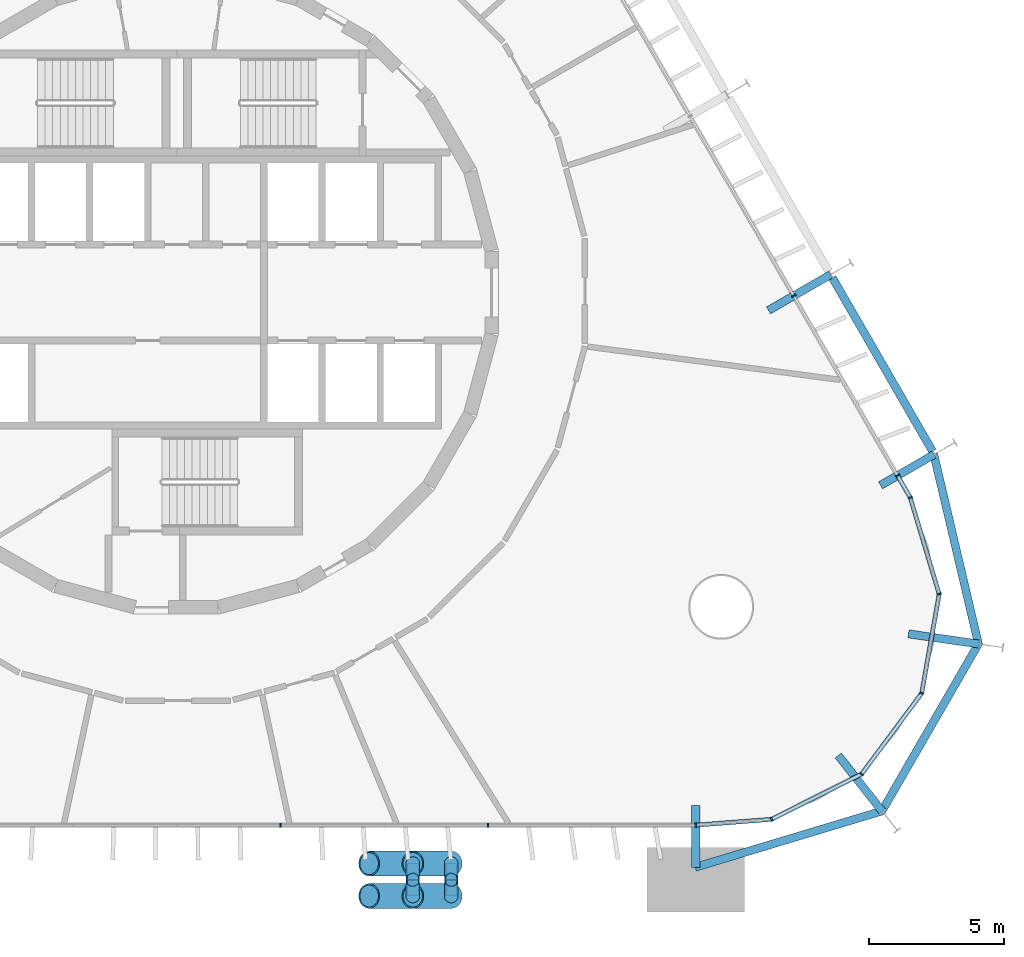
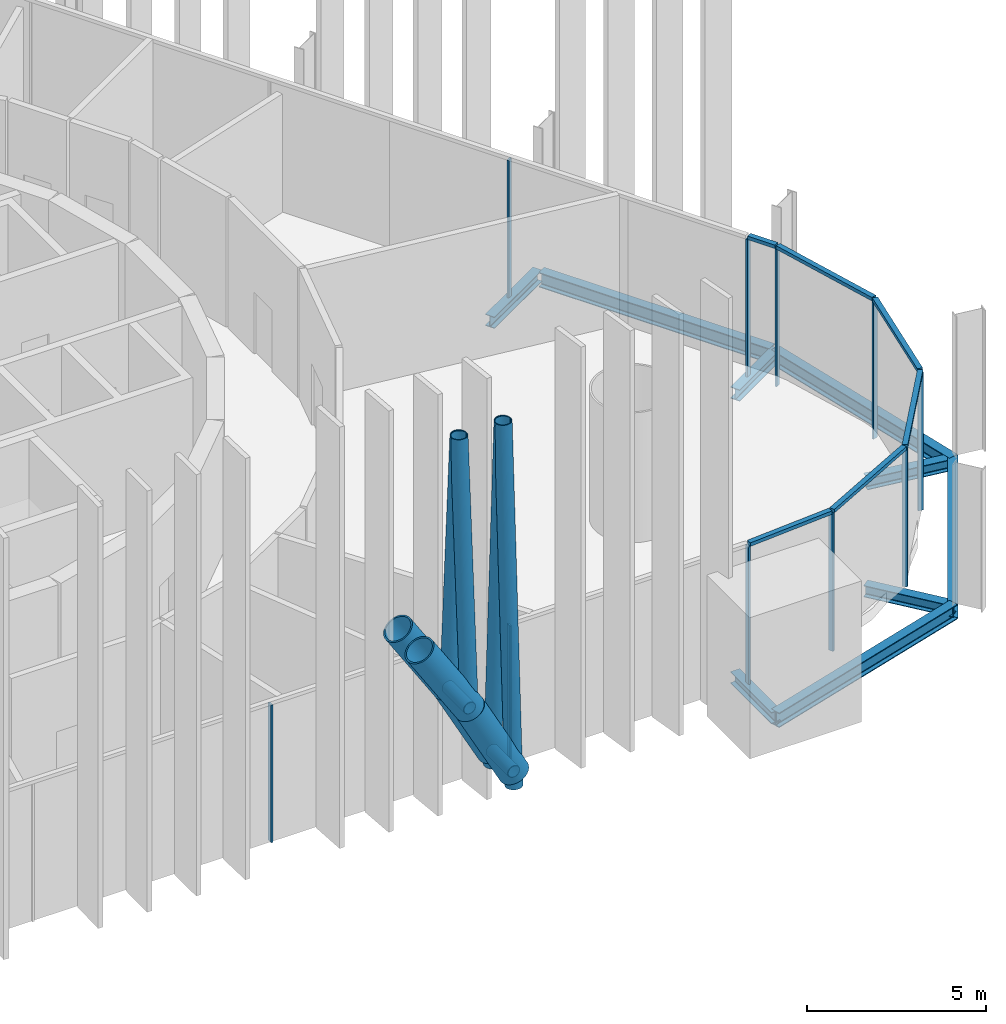
# One storey, part 6 of 17: 26 members, 9 beams, 3 elements without a shape of their own.
"""IFC4 building model written with IfcOpenShell, lengths in metres."""

from ifc_helpers import new_model, si_unit, direction, frame, origin, origin_2d, place, context, subcontext, project, spatial, rectangle, hollow_circle, i_section, extrude, material, layer, layer_set, material_profile, profile_set, type_object, element, aggregate, save


model = new_model("IFC4")

# Units and contexts
model_context = context("Model", 3, precision=1e-05, world=origin(), true_north=direction((0.0, 1.0)))
body_context = subcontext(model_context, "Body", "Model", "MODEL_VIEW")
ifc_project = project(units=[si_unit("LENGTHUNIT", "METRE"), si_unit("AREAUNIT", "SQUARE_METRE"), si_unit("VOLUMEUNIT", "CUBIC_METRE"), si_unit("PLANEANGLEUNIT", "RADIAN"), si_unit("MASSUNIT", "GRAM", prefix="KILO")], contexts=[model_context])

# Site, building, storey
site_placement = place(None, origin())
site = spatial("IfcSite", under=ifc_project, at=site_placement, CompositionType="ELEMENT")
building_placement = place(site_placement, origin())
building = spatial("IfcBuilding", under=site, at=building_placement, Name="Spindle Arch Residences", CompositionType="ELEMENT")
storey_placement = place(building_placement, frame((0.0, 0.0, 18.60009765625)))
storey = spatial("IfcBuildingStorey", under=building, at=storey_placement, Name="L03", CompositionType="ELEMENT", Elevation=18.60009765625)

# Members
ifc_material_1 = material(Name="Steel S355J2, intumescent coating R 240", Category="steel")
ifc_material_profile_1 = material_profile(ifc_material_1, hollow_circle(Radius=0.25390625, WallThickness=0.02490234375, at=origin_2d()), Name="CHS 508x25")
ifc_profile_set_1 = profile_set([ifc_material_profile_1], Name="Steel S355J2, intumescent coating R 240")
member_type_1 = type_object("IfcMemberType", Name="Arch hanger CHS 508x25", PredefinedType="BRACE", material=ifc_profile_set_1)
member_1_placement = place(storey_placement, frame((8.73486328125, -21.72998046875, 12.94189453125), z_axis=(0.0, -0.06380580949, -0.997962333295), x_axis=(1.0, 0.0, 0.0)))
element("IfcMember", 1, at=member_1_placement, inside=storey, type_object=member_type_1, Name="Arch hanger 1.16", PredefinedType="BRACE", context=body_context, shape_type="SweptSolid", body=[
    extrude(hollow_circle(Radius=0.25390625, WallThickness=0.02490234375, at=origin_2d()), origin(), (0.0, 0.0, 1.0), 9.401123046875),
])
member_2_placement = place(storey_placement, frame((10.153076171875, -21.72998046875, 12.94189453125), z_axis=(0.0, -0.049775949801, -0.998760409118), x_axis=(1.0, 0.0, 0.0)))
element("IfcMember", 2, at=member_2_placement, inside=storey, type_object=member_type_1, Name="Arch hanger 1.17", PredefinedType="BRACE", context=body_context, shape_type="SweptSolid", body=[
    extrude(hollow_circle(Radius=0.25390625, WallThickness=0.02490234375, at=origin_2d()), origin(), (0.0, 0.0, 1.0), 12.051025390625),
])
member_3_placement = place(storey_placement, frame((8.73486328125, -21.72998046875, 12.94189453125), z_axis=(0.0, 0.063831672692, -0.997960679366), x_axis=(-1.0, 0.0, 0.0)))
element("IfcMember", 3, at=member_3_placement, inside=storey, type_object=member_type_1, Name="Arch hanger 2.16", PredefinedType="BRACE", context=body_context, shape_type="SweptSolid", body=[
    extrude(hollow_circle(Radius=0.25390625, WallThickness=0.02490234375, at=origin_2d()), origin(), (0.0, 0.0, 1.0), 9.4013671875),
])
member_4_placement = place(storey_placement, frame((10.153076171875, -21.72998046875, 12.94189453125), z_axis=(0.0, 0.049796158408, -0.998759401762), x_axis=(-1.0, 0.0, 0.0)))
element("IfcMember", 4, at=member_4_placement, inside=storey, type_object=member_type_1, Name="Arch hanger 2.17", PredefinedType="BRACE", context=body_context, shape_type="SweptSolid", body=[
    extrude(hollow_circle(Radius=0.25390625, WallThickness=0.02490234375, at=origin_2d()), origin(), (0.0, 0.0, 1.0), 12.051025390625),
])
ifc_material_2 = material(Name="Steel S355J2, intumescent coating R 240", Category="steel")
ifc_material_profile_2 = material_profile(ifc_material_2, hollow_circle(Radius=0.45703125, WallThickness=0.050048828125, at=origin_2d()), Name="CHS 914x50")
ifc_profile_set_2 = profile_set([ifc_material_profile_2], Name="Steel S355J2, intumescent coating R 240")
member_type_2 = type_object("IfcMemberType", Name="Arch rib CHS 914x50", PredefinedType="MEMBER", material=ifc_profile_set_2)
member_5_placement = place(storey_placement, frame((7.11669921875, -22.329833984375, 6.55859375), z_axis=(0.537074718615, 0.0, -0.843534674228), x_axis=(0.0, 1.0, 0.0)))
element("IfcMember", 5, at=member_5_placement, inside=storey, type_object=member_type_2, Name="Arch rib 1.16", PredefinedType="MEMBER", context=body_context, shape_type="SweptSolid", body=[
    extrude(hollow_circle(Radius=0.45703125, WallThickness=0.050048828125, at=origin_2d()), origin(), (0.0, 0.0, 1.0), 3.012939453125),
])
member_6_placement = place(storey_placement, frame((8.73486328125, -22.329833984375, 4.01708984375), z_axis=(0.471257595122, 0.0, -0.881995623028), x_axis=(0.0, 1.0, 0.0)))
element("IfcMember", 6, at=member_6_placement, inside=storey, type_object=member_type_2, Name="Arch rib 1.17", PredefinedType="MEMBER", context=body_context, shape_type="SweptSolid", body=[
    extrude(hollow_circle(Radius=0.45703125, WallThickness=0.050048828125, at=origin_2d()), origin(), (0.0, 0.0, 1.0), 3.009521484375),
])
member_7_placement = place(storey_placement, frame((7.11669921875, -21.1298828125, 6.55859375), z_axis=(0.537074718615, 0.0, -0.843534674228), x_axis=(0.0, 1.0, 0.0)))
element("IfcMember", 7, at=member_7_placement, inside=storey, type_object=member_type_2, Name="Arch rib 2.16", PredefinedType="MEMBER", context=body_context, shape_type="SweptSolid", body=[
    extrude(hollow_circle(Radius=0.45703125, WallThickness=0.050048828125, at=origin_2d()), origin(), (0.0, 0.0, 1.0), 3.012939453125),
])
member_8_placement = place(storey_placement, frame((8.73486328125, -21.1298828125, 4.01708984375), z_axis=(0.471257595122, 0.0, -0.881995623028), x_axis=(0.0, 1.0, 0.0)))
element("IfcMember", 8, at=member_8_placement, inside=storey, type_object=member_type_2, Name="Arch rib 2.17", PredefinedType="MEMBER", context=body_context, shape_type="SweptSolid", body=[
    extrude(hollow_circle(Radius=0.45703125, WallThickness=0.050048828125, at=origin_2d()), origin(), (0.0, 0.0, 1.0), 3.009521484375),
])
ifc_material_3 = material(Name="Steel S355J2, intumescent coating R 240", Category="steel")
ifc_material_profile_3 = material_profile(ifc_material_3, hollow_circle(Radius=0.203125, WallThickness=0.02001953125, at=origin_2d()), Name="CHS 406.4x20")
ifc_profile_set_3 = profile_set([ifc_material_profile_3], Name="Steel S355J2, intumescent coating R 240")
member_type_3 = type_object("IfcMemberType", Name="Arch tie CHS 406.4x20", PredefinedType="MEMBER", material=ifc_profile_set_3)
for number, where, z_axis, x_axis, name in (
    (9, (8.73486328125, -22.329833984375, 4.01708984375), (0.0, 1.0, 0.0), (-1.0, 0.0, 0.0), "Arch tie 16"),
    (10, (10.153076171875, -22.329833984375, 1.36279296875), (0.0, 1.0, 0.0), (-1.0, 0.0, 0.0), "Arch tie 17"),
):
    element("IfcMember", number, at=place(storey_placement, frame(where, z_axis=z_axis, x_axis=x_axis)), inside=storey, type_object=member_type_3, Name=name, PredefinedType="MEMBER", context=body_context, shape_type="SweptSolid", body=[
        extrude(hollow_circle(Radius=0.203125, WallThickness=0.02001953125, at=origin_2d()), origin(), (0.0, 0.0, 1.0), 1.199951171875),
    ])

# Curtain wall, members
ifc_material_4 = material(Name="Aluminium bronze unitised frame with tinted glass", Category="aluminium")
ifc_layer_1 = layer(ifc_material_4, 0.159912109375)
ifc_layer_set_1 = layer_set([ifc_layer_1], Name="CW-D corner wall on the fillet arcs")
curtain_wall_type_1 = type_object("IfcCurtainWallType", Name="CW-D corner wall on the fillet arcs", PredefinedType="NOTDEFINED", material=ifc_layer_set_1)
curtain_wall_1_placement = place(storey_placement, origin())
curtain_wall_1 = element("IfcCurtainWall", 11, at=curtain_wall_1_placement, inside=storey, type_object=curtain_wall_type_1, Name="CW-D L03 run 1", PredefinedType="NOTDEFINED")
ifc_material_5 = material(Name="Aluminium bronze anodised mullion", Category="aluminium")
ifc_material_profile_4 = material_profile(ifc_material_5, rectangle(XDim=0.159912109375, YDim=0.06005859375, at=origin_2d()), Name="MU 60x160")
ifc_profile_set_4 = profile_set([ifc_material_profile_4], Name="Aluminium bronze anodised mullion")
member_type_4 = type_object("IfcMemberType", Name="Bronze mullion 60x160", PredefinedType="MULLION", material=ifc_profile_set_4)
member_9_placement = place(storey_placement, frame((19.2001953125, -19.7099609375, -0.380126953125), z_axis=(0.0, 0.0, 1.0), x_axis=(-0.077364085451, 0.997002907861, 0.0)))
member_9 = element("IfcMember", 12, at=member_9_placement, type_object=member_type_4, Name="CW-D mullion 00", PredefinedType="MULLION", context=body_context, shape_type="SweptSolid", body=[
    extrude(rectangle(XDim=0.159912109375, YDim=0.06005859375, at=origin_2d()), origin(), (0.0, 0.0, 1.0), 4.679931640625),
])
member_10_placement = place(storey_placement, frame((22.007080078125, -19.4921875, -0.380126953125), z_axis=(0.0, 0.0, 1.0), x_axis=(-0.448799176213, 0.893632642326, 0.0)))
member_10 = element("IfcMember", 13, at=member_10_placement, type_object=member_type_4, Name="CW-D mullion 01", PredefinedType="MULLION", context=body_context, shape_type="SweptSolid", body=[
    extrude(rectangle(XDim=0.159912109375, YDim=0.06005859375, at=origin_2d()), origin(), (0.0, 0.0, 1.0), 4.679931640625),
])
member_11_placement = place(storey_placement, frame((25.33740234375, -17.819580078125, -0.380126953125), z_axis=(0.0, 0.0, 1.0), x_axis=(-0.802123189687, 0.597158595823, 0.0)))
member_11 = element("IfcMember", 14, at=member_11_placement, type_object=member_type_4, Name="CW-D mullion 02", PredefinedType="MULLION", context=body_context, shape_type="SweptSolid", body=[
    extrude(rectangle(XDim=0.159912109375, YDim=0.06005859375, at=origin_2d()), origin(), (0.0, 0.0, 1.0), 4.679931640625),
])
member_12_placement = place(storey_placement, frame((27.562744140625, -14.830322265625, -0.380126953125), z_axis=(0.0, 0.0, 1.0), x_axis=(-0.984807752421, 0.173648181019, 0.0)))
member_12 = element("IfcMember", 15, at=member_12_placement, type_object=member_type_4, Name="CW-D mullion 03", PredefinedType="MULLION", context=body_context, shape_type="SweptSolid", body=[
    extrude(rectangle(XDim=0.159912109375, YDim=0.06005859375, at=origin_2d()), origin(), (0.0, 0.0, 1.0), 4.679931640625),
])
member_13_placement = place(storey_placement, frame((28.2099609375, -11.16015625, -0.380126953125), z_axis=(0.0, 0.0, 1.0), x_axis=(-0.957989512975, -0.28680323051, 0.0)))
member_13 = element("IfcMember", 16, at=member_13_placement, type_object=member_type_4, Name="CW-D mullion 04", PredefinedType="MULLION", context=body_context, shape_type="SweptSolid", body=[
    extrude(rectangle(XDim=0.159912109375, YDim=0.06005859375, at=origin_2d()), origin(), (0.0, 0.0, 1.0), 4.679931640625),
])
member_14_placement = place(storey_placement, frame((27.14111328125, -7.58984375, -0.380126953125), z_axis=(0.0, 0.0, 1.0), x_axis=(-0.866025403784, -0.5, 0.0)))
member_14 = element("IfcMember", 17, at=member_14_placement, type_object=member_type_4, Name="CW-D mullion 05", PredefinedType="MULLION", context=body_context, shape_type="SweptSolid", body=[
    extrude(rectangle(XDim=0.159912109375, YDim=0.06005859375, at=origin_2d()), origin(), (0.0, 0.0, 1.0), 4.679931640625),
])

ifc_material_6 = material(Name="Aluminium bronze unitised frame with tinted glass", Category="aluminium")
ifc_layer_2 = layer(ifc_material_6, 0.159912109375)
ifc_layer_set_2 = layer_set([ifc_layer_2], Name="CW-B amenity podium glazed wall")
curtain_wall_type_2 = type_object("IfcCurtainWallType", Name="CW-B amenity podium glazed wall", PredefinedType="NOTDEFINED", material=ifc_layer_set_2)
curtain_wall_2_placement = place(storey_placement, origin())
curtain_wall_2 = element("IfcCurtainWall", 18, at=curtain_wall_2_placement, inside=storey, type_object=curtain_wall_type_2, Name="CW-B L03 run 2", PredefinedType="NOTDEFINED")
member_15_placement = place(storey_placement, frame((26.66943359375, -6.77294921875, -0.380126953125), z_axis=(0.0, 0.0, 1.0), x_axis=(-0.866025403784, -0.5, 0.0)))
member_15 = element("IfcMember", 19, at=member_15_placement, type_object=member_type_4, Name="CW-B mullion 05", PredefinedType="MULLION", context=body_context, shape_type="SweptSolid", body=[
    extrude(rectangle(XDim=0.159912109375, YDim=0.06005859375, at=origin_2d()), origin(), (0.0, 0.0, 1.0), 4.679931640625),
])
member_16_placement = place(storey_placement, frame((22.829345703125, -0.121826171875, -0.380126953125), z_axis=(0.0, 0.0, 1.0), x_axis=(-0.866025403784, -0.5, 0.0)))
member_16 = element("IfcMember", 20, at=member_16_placement, type_object=member_type_4, Name="CW-B mullion 06", PredefinedType="MULLION", context=body_context, shape_type="SweptSolid", body=[
    extrude(rectangle(XDim=0.159912109375, YDim=0.06005859375, at=origin_2d()), origin(), (0.0, 0.0, 1.0), 4.679931640625),
])
aggregate(curtain_wall_2, [member_15, member_16])

curtain_wall_3_placement = place(storey_placement, origin())
curtain_wall_3 = element("IfcCurtainWall", 21, at=curtain_wall_3_placement, inside=storey, type_object=curtain_wall_type_2, Name="CW-B L03 run 6", PredefinedType="NOTDEFINED")
member_17_placement = place(storey_placement, frame((3.840087890625, -19.7099609375, -0.380126953125), z_axis=(0.0, 0.0, 1.0), x_axis=(0.0, 1.0, 0.0)))
member_17 = element("IfcMember", 22, at=member_17_placement, type_object=member_type_4, Name="CW-B mullion 00", PredefinedType="MULLION", context=body_context, shape_type="SweptSolid", body=[
    extrude(rectangle(XDim=0.159912109375, YDim=0.06005859375, at=origin_2d()), origin(), (0.0, 0.0, 1.0), 4.679931640625),
])
member_18_placement = place(storey_placement, frame((11.52001953125, -19.7099609375, -0.380126953125), z_axis=(0.0, 0.0, 1.0), x_axis=(0.0, 1.0, 0.0)))
member_18 = element("IfcMember", 23, at=member_18_placement, type_object=member_type_4, Name="CW-B mullion 01", PredefinedType="MULLION", context=body_context, shape_type="SweptSolid", body=[
    extrude(rectangle(XDim=0.159912109375, YDim=0.06005859375, at=origin_2d()), origin(), (0.0, 0.0, 1.0), 4.679931640625),
])
aggregate(curtain_wall_3, [member_17, member_18])

# Member
ifc_material_7 = material(Name="Aluminium bronze anodised transom", Category="aluminium")
ifc_material_profile_5 = material_profile(ifc_material_7, rectangle(XDim=0.159912109375, YDim=0.1201171875, at=origin_2d()), Name="TR 120x160")
ifc_profile_set_5 = profile_set([ifc_material_profile_5], Name="Aluminium bronze anodised transom")
member_type_5 = type_object("IfcMemberType", Name="Bronze transom 120x160", PredefinedType="USERDEFINED", material=ifc_profile_set_5)
member_19_placement = place(storey_placement, frame((19.22998046875, -19.70751953125, 4.35986328125), z_axis=(0.997003710875, 0.077353736189, 0.0), x_axis=(-0.077353736189, 0.997003710875, 0.0)))
member_19 = element("IfcMember", 24, at=member_19_placement, type_object=member_type_5, Name="CW-D transom 00", ObjectType="TRANSOM", PredefinedType="USERDEFINED", context=body_context, shape_type="SweptSolid", body=[
    extrude(rectangle(XDim=0.159912109375, YDim=0.1201171875, at=origin_2d()), origin(), (0.0, 0.0, 1.0), 2.75537109375),
])

member_20_placement = place(storey_placement, frame((22.03369140625, -19.478759765625, 4.35986328125), z_axis=(0.893626812559, 0.448810784046, 0.0), x_axis=(-0.448810784046, 0.893626812559, 0.0)))
member_20 = element("IfcMember", 25, at=member_20_placement, type_object=member_type_5, Name="CW-D transom 01", ObjectType="TRANSOM", PredefinedType="USERDEFINED", context=body_context, shape_type="SweptSolid", body=[
    extrude(rectangle(XDim=0.159912109375, YDim=0.1201171875, at=origin_2d()), origin(), (0.0, 0.0, 1.0), 3.6669921875),
])

member_21_placement = place(storey_placement, frame((25.355224609375, -17.79541015625, 4.35986328125), z_axis=(0.597173190998, 0.802112323776, 0.0), x_axis=(-0.802112323776, 0.597173190998, 0.0)))
member_21 = element("IfcMember", 26, at=member_21_placement, type_object=member_type_5, Name="CW-D transom 02", ObjectType="TRANSOM", PredefinedType="USERDEFINED", context=body_context, shape_type="SweptSolid", body=[
    extrude(rectangle(XDim=0.159912109375, YDim=0.1201171875, at=origin_2d()), origin(), (0.0, 0.0, 1.0), 3.666748046875),
])

member_22_placement = place(storey_placement, frame((27.56787109375, -14.80078125, 4.35986328125), z_axis=(0.173709368694, 0.984796961423, 0.0), x_axis=(-0.984796961423, 0.173709368694, 0.0)))
member_22 = element("IfcMember", 27, at=member_22_placement, type_object=member_type_5, Name="CW-D transom 03", ObjectType="TRANSOM", PredefinedType="USERDEFINED", context=body_context, shape_type="SweptSolid", body=[
    extrude(rectangle(XDim=0.159912109375, YDim=0.1201171875, at=origin_2d()), origin(), (0.0, 0.0, 1.0), 3.666748046875),
])

member_23_placement = place(storey_placement, frame((28.201416015625, -11.13134765625, 4.35986328125), z_axis=(-0.286834736274, 0.957980080203, 0.0), x_axis=(-0.957980080203, -0.286834736274, 0.0)))
member_23 = element("IfcMember", 28, at=member_23_placement, type_object=member_type_5, Name="CW-D transom 04", ObjectType="TRANSOM", PredefinedType="USERDEFINED", context=body_context, shape_type="SweptSolid", body=[
    extrude(rectangle(XDim=0.159912109375, YDim=0.1201171875, at=origin_2d()), origin(), (0.0, 0.0, 1.0), 3.666748046875),
])

member_24_placement = place(storey_placement, frame((27.1259765625, -7.56396484375, 4.35986328125), z_axis=(-0.499913830031, 0.866075148324, 0.0), x_axis=(-0.866075148324, -0.499913830031, 0.0)))
member_24 = element("IfcMember", 29, at=member_24_placement, type_object=member_type_5, Name="CW-D transom 05", ObjectType="TRANSOM", PredefinedType="USERDEFINED", context=body_context, shape_type="SweptSolid", body=[
    extrude(rectangle(XDim=0.159912109375, YDim=0.1201171875, at=origin_2d()), origin(), (0.0, 0.0, 1.0), 0.883544921875),
])

aggregate(curtain_wall_1, [member_9, member_19, member_10, member_20, member_11, member_21, member_12, member_22, member_13, member_23, member_14, member_24])

# Beams
ifc_material_8 = material(Name="Steel S460ML, intumescent coating R 120", Category="steel")
ifc_material_profile_6 = material_profile(ifc_material_8, i_section(OverallWidth=0.300048828125, OverallDepth=0.5, WebThickness=0.014404296875, FlangeThickness=0.028076171875, FilletRadius=0.027099609375, at=origin_2d()), Name="HEB 500")
ifc_profile_set_6 = profile_set([ifc_material_profile_6], Name="Steel S460ML, intumescent coating R 120")
beam_type_1 = type_object("IfcBeamType", Name="Exoskeleton edge beam HEB 500", PredefinedType="BEAM", material=ifc_profile_set_6)
beam_1_placement = place(storey_placement, frame((19.177490234375, -21.26708984375, -0.630126953125), z_axis=(0.957564526429, 0.288218975303, 0.0), x_axis=(-0.288218975303, 0.957564526429, 0.0)))
element("IfcBeam", 30, at=beam_1_placement, inside=storey, type_object=beam_type_1, Name="Exoskeleton edge beam 3", PredefinedType="BEAM", context=body_context, shape_type="SweptSolid", body=[
    extrude(i_section(OverallWidth=0.300048828125, OverallDepth=0.5, WebThickness=0.014404296875, FlangeThickness=0.028076171875, FilletRadius=0.027099609375, at=origin_2d()), origin(), (0.0, 0.0, 1.0), 7.25),
])
beam_2_placement = place(storey_placement, frame((26.06689453125, -19.227783203125, -0.630126953125), z_axis=(0.500025200273, 0.866010853911, 0.0), x_axis=(-0.866010853911, 0.500025200273, 0.0)))
element("IfcBeam", 31, at=beam_2_placement, inside=storey, type_object=beam_type_1, Name="Exoskeleton edge beam 4", PredefinedType="BEAM", context=body_context, shape_type="SweptSolid", body=[
    extrude(i_section(OverallWidth=0.300048828125, OverallDepth=0.5, WebThickness=0.014404296875, FlangeThickness=0.028076171875, FilletRadius=0.027099609375, at=origin_2d()), origin(), (0.0, 0.0, 1.0), 7.236572265625),
])
beam_3_placement = place(storey_placement, frame((29.668212890625, -13.03173828125, -0.630126953125), z_axis=(-0.229185730541, 0.973382710406, 0.0), x_axis=(-0.973382710406, -0.229185730541, 0.0)))
element("IfcBeam", 32, at=beam_3_placement, inside=storey, type_object=beam_type_1, Name="Exoskeleton edge beam 5", PredefinedType="BEAM", context=body_context, shape_type="SweptSolid", body=[
    extrude(i_section(OverallWidth=0.300048828125, OverallDepth=0.5, WebThickness=0.014404296875, FlangeThickness=0.028076171875, FilletRadius=0.027099609375, at=origin_2d()), origin(), (0.0, 0.0, 1.0), 7.25),
])
beam_4_placement = place(storey_placement, frame((27.964111328125, -5.875244140625, -0.630126953125), z_axis=(-0.50002815445, 0.866009148195, 0.0), x_axis=(-0.866009148195, -0.50002815445, 0.0)))
element("IfcBeam", 33, at=beam_4_placement, inside=storey, type_object=beam_type_1, Name="Exoskeleton edge beam 6", PredefinedType="BEAM", context=body_context, shape_type="SweptSolid", body=[
    extrude(i_section(OverallWidth=0.300048828125, OverallDepth=0.5, WebThickness=0.014404296875, FlangeThickness=0.028076171875, FilletRadius=0.027099609375, at=origin_2d()), origin(), (0.0, 0.0, 1.0), 7.419921875),
])
ifc_material_9 = material(Name="Steel S460ML, intumescent coating R 120", Category="steel")
ifc_material_profile_7 = material_profile(ifc_material_9, i_section(OverallWidth=0.300048828125, OverallDepth=0.389892578125, WebThickness=0.010986328125, FlangeThickness=0.01904296875, FilletRadius=0.027099609375, at=origin_2d()), Name="HEA 400")
ifc_profile_set_7 = profile_set([ifc_material_profile_7], Name="Steel S460ML, intumescent coating R 120")
beam_type_2 = type_object("IfcBeamType", Name="Floor outrigger HEA 400", PredefinedType="BEAM", material=ifc_profile_set_7)
beam_5_placement = place(storey_placement, frame((19.2001953125, -21.27978515625, -0.5751953125), z_axis=(0.0, 1.0, 0.0), x_axis=(-1.0, 0.0, 0.0)))
element("IfcBeam", 34, at=beam_5_placement, inside=storey, type_object=beam_type_2, Name="Floor outrigger 3", PredefinedType="BEAM", context=body_context, shape_type="SweptSolid", body=[
    extrude(i_section(OverallWidth=0.300048828125, OverallDepth=0.389892578125, WebThickness=0.010986328125, FlangeThickness=0.01904296875, FilletRadius=0.027099609375, at=origin_2d()), origin(), (0.0, 0.0, 1.0), 2.2939453125),
])
for number, where, z_axis, x_axis, name in (
    (35, (26.11328125, -19.211669921875, -0.5751953125), (-0.618586231558, 0.785716917297, 0.0), (-0.785716917297, -0.618586231558, 0.0), "Floor outrigger 4"),
    (36, (29.694580078125, -13.009033203125, -0.5751953125), (-0.989738348309, 0.142891573883, 0.0), (-0.142891573883, -0.989738348309, 0.0), "Floor outrigger 5"),
):
    element("IfcBeam", number, at=place(storey_placement, frame(where, z_axis=z_axis, x_axis=x_axis)), inside=storey, type_object=beam_type_2, Name=name, PredefinedType="BEAM", context=body_context, shape_type="SweptSolid", body=[
        extrude(i_section(OverallWidth=0.300048828125, OverallDepth=0.389892578125, WebThickness=0.010986328125, FlangeThickness=0.01904296875, FilletRadius=0.027099609375, at=origin_2d()), origin(), (0.0, 0.0, 1.0), 2.64990234375),
    ])
beam_6_placement = place(storey_placement, frame((28.029052734375, -5.98779296875, -0.5751953125), z_axis=(-0.866001280077, -0.50004178116, 0.0), x_axis=(0.50004178116, -0.866001280077, 0.0)))
element("IfcBeam", 37, at=beam_6_placement, inside=storey, type_object=beam_type_2, Name="Floor outrigger 6", PredefinedType="BEAM", context=body_context, shape_type="SweptSolid", body=[
    extrude(i_section(OverallWidth=0.300048828125, OverallDepth=0.389892578125, WebThickness=0.010986328125, FlangeThickness=0.01904296875, FilletRadius=0.027099609375, at=origin_2d()), origin(), (0.0, 0.0, 1.0), 2.294189453125),
])
beam_7_placement = place(storey_placement, frame((24.18896484375, 0.6630859375, -0.5751953125), z_axis=(-0.866029095148, -0.499993606316, 0.0), x_axis=(0.499993606316, -0.866029095148, 0.0)))
element("IfcBeam", 38, at=beam_7_placement, inside=storey, type_object=beam_type_2, Name="Floor outrigger 7", PredefinedType="BEAM", context=body_context, shape_type="SweptSolid", body=[
    extrude(i_section(OverallWidth=0.300048828125, OverallDepth=0.389892578125, WebThickness=0.010986328125, FlangeThickness=0.01904296875, FilletRadius=0.027099609375, at=origin_2d()), origin(), (0.0, 0.0, 1.0), 2.64990234375),
])

save(model, "model.ifc")
